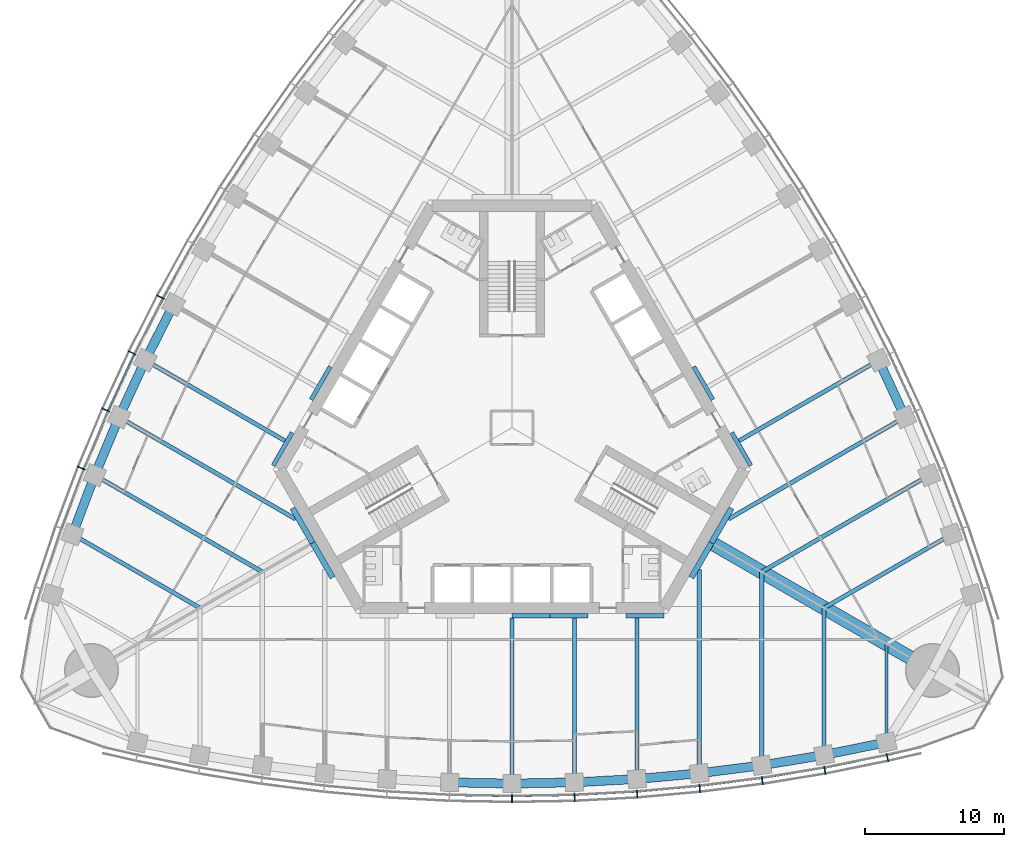
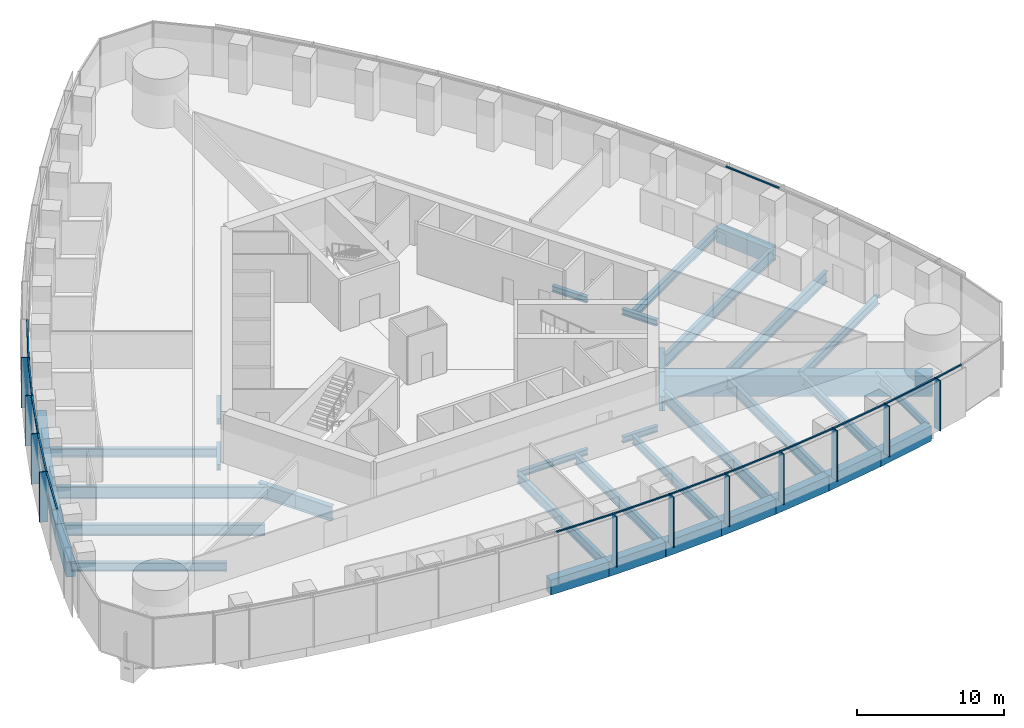
# One storey, part 3 of 19: 39 beams, 25 members, 3 elements without a shape of their own.
"""IFC4 building model written with IfcOpenShell, lengths in metres."""

from ifc_helpers import new_model, si_unit, direction, frame, origin, origin_2d, place, context, subcontext, project, spatial, rectangle, i_section, extrude, material, material_profile, profile_set, type_object, element, aggregate, save


model = new_model("IFC4")

# Units and contexts
model_context = context("Model", 3, precision=1e-05, world=origin(), true_north=direction((0.0, 1.0)))
body_context = subcontext(model_context, "Body", "Model", "MODEL_VIEW")
ifc_project = project(units=[si_unit("LENGTHUNIT", "METRE"), si_unit("AREAUNIT", "SQUARE_METRE"), si_unit("VOLUMEUNIT", "CUBIC_METRE"), si_unit("PLANEANGLEUNIT", "RADIAN"), si_unit("MASSUNIT", "GRAM", prefix="KILO")], contexts=[model_context])

# Site, building, storey
site_placement = place(None, origin())
site = spatial("IfcSite", under=ifc_project, at=site_placement, CompositionType="ELEMENT")
building_placement = place(site_placement, origin())
building = spatial("IfcBuilding", under=site, at=building_placement, Name="Trefoil Bronze Tower", CompositionType="ELEMENT")
storey_placement = place(building_placement, frame((0.0, 0.0, 128.300048828125)))
storey = spatial("IfcBuildingStorey", under=building, at=storey_placement, Name="L29", CompositionType="ELEMENT", Elevation=128.300048828125)

# Curtain wall, members
ifc_material_1 = material(Name="Tinted solar-control glass", Category="glass")
curtain_wall_type = type_object("IfcCurtainWallType", Name="Bronze office curtain wall", PredefinedType="USERDEFINED", material=ifc_material_1)
curtain_wall_1_placement = place(storey_placement, origin())
curtain_wall_1 = element("IfcCurtainWall", 1, at=curtain_wall_1_placement, inside=storey, type_object=curtain_wall_type, Name="CW-A L29 F1", ObjectType="CURTAIN WALL", PredefinedType="USERDEFINED")
ifc_material_2 = material(Name="Bronze-finish aluminium", Category="aluminium")
ifc_material_profile_1 = material_profile(ifc_material_2, rectangle(XDim=0.60009765625, YDim=0.080078125, at=origin_2d()), Name="CW-A mullion")
ifc_profile_set_1 = profile_set([ifc_material_profile_1], Name="Bronze-finish aluminium")
member_type_1 = type_object("IfcMemberType", Name="Bronze office curtain wall mullion", PredefinedType="MULLION", material=ifc_profile_set_1)
member_1_placement = place(storey_placement, frame((0.0, -26.749755859375, 0.0), z_axis=(0.0, 0.0, 1.0), x_axis=(0.0, 1.0, 0.0)))
member_1 = element("IfcMember", 2, at=member_1_placement, type_object=member_type_1, Name="CW-A L29 F1 mullion 8", PredefinedType="MULLION", context=body_context, shape_type="SweptSolid", body=[
    extrude(rectangle(XDim=0.60009765625, YDim=0.080078125, at=origin_2d()), origin(), (0.0, 0.0, 1.0), 4.179931640625),
])
member_2_placement = place(storey_placement, frame((4.5107421875, -26.66845703125, 0.0), z_axis=(0.0, 0.0, 1.0), x_axis=(-0.036047792107, 0.999350067136, 0.0)))
member_2 = element("IfcMember", 3, at=member_2_placement, type_object=member_type_1, Name="CW-A L29 F1 mullion 9", PredefinedType="MULLION", context=body_context, shape_type="SweptSolid", body=[
    extrude(rectangle(XDim=0.60009765625, YDim=0.080078125, at=origin_2d()), origin(), (0.0, 0.0, 1.0), 4.179931640625),
])
member_3_placement = place(storey_placement, frame((9.021728515625, -26.424072265625, 0.0), z_axis=(0.0, 0.0, 1.0), x_axis=(-0.072095676284, 0.997397720802, 0.0)))
member_3 = element("IfcMember", 4, at=member_3_placement, type_object=member_type_1, Name="CW-A L29 F1 mullion 10", PredefinedType="MULLION", context=body_context, shape_type="SweptSolid", body=[
    extrude(rectangle(XDim=0.60009765625, YDim=0.080078125, at=origin_2d()), origin(), (0.0, 0.0, 1.0), 4.179931640625),
])
member_4_placement = place(storey_placement, frame((13.532470703125, -26.01611328125, 0.0), z_axis=(0.0, 0.0, 1.0), x_axis=(-0.108143747013, 0.994135267447, 0.0)))
member_4 = element("IfcMember", 5, at=member_4_placement, type_object=member_type_1, Name="CW-A L29 F1 mullion 11", PredefinedType="MULLION", context=body_context, shape_type="SweptSolid", body=[
    extrude(rectangle(XDim=0.60009765625, YDim=0.080078125, at=origin_2d()), origin(), (0.0, 0.0, 1.0), 4.179931640625),
])
member_5_placement = place(storey_placement, frame((18.043212890625, -25.4423828125, 0.0), z_axis=(0.0, 0.0, 1.0), x_axis=(-0.144192103798, 0.989549714366, 0.0)))
member_5 = element("IfcMember", 6, at=member_5_placement, type_object=member_type_1, Name="CW-A L29 F1 mullion 12", PredefinedType="MULLION", context=body_context, shape_type="SweptSolid", body=[
    extrude(rectangle(XDim=0.60009765625, YDim=0.080078125, at=origin_2d()), origin(), (0.0, 0.0, 1.0), 4.179931640625),
])
member_6_placement = place(storey_placement, frame((22.553955078125, -24.700927734375, 0.0), z_axis=(0.0, 0.0, 1.0), x_axis=(-0.180240853954, 0.98362250613, 0.0)))
member_6 = element("IfcMember", 7, at=member_6_placement, type_object=member_type_1, Name="CW-A L29 F1 mullion 13", PredefinedType="MULLION", context=body_context, shape_type="SweptSolid", body=[
    extrude(rectangle(XDim=0.60009765625, YDim=0.080078125, at=origin_2d()), origin(), (0.0, 0.0, 1.0), 4.179931640625),
])
member_7_placement = place(storey_placement, frame((27.0634765625, -23.7890625, 0.0), z_axis=(0.0, 0.0, 1.0), x_axis=(-0.21197042503, 0.977276081214, 0.0)))
member_7 = element("IfcMember", 8, at=member_7_placement, type_object=member_type_1, Name="CW-A L29 F1 mullion 14", PredefinedType="MULLION", context=body_context, shape_type="SweptSolid", body=[
    extrude(rectangle(XDim=0.60009765625, YDim=0.080078125, at=origin_2d()), origin(), (0.0, 0.0, 1.0), 4.179931640625),
])

curtain_wall_2_placement = place(storey_placement, origin())
curtain_wall_2 = element("IfcCurtainWall", 9, at=curtain_wall_2_placement, inside=storey, type_object=curtain_wall_type, Name="CW-A L29 F3", ObjectType="CURTAIN WALL", PredefinedType="USERDEFINED")
member_8_placement = place(storey_placement, frame((-25.350830078125, 9.427734375, 0.0), z_axis=(0.0, 0.0, 1.0), x_axis=(0.883486441467, -0.468456729853, 0.0)))
member_8 = element("IfcMember", 10, at=member_8_placement, type_object=member_type_1, Name="CW-A L29 F3 mullion 9", PredefinedType="MULLION", context=body_context, shape_type="SweptSolid", body=[
    extrude(rectangle(XDim=0.60009765625, YDim=0.080078125, at=origin_2d()), origin(), (0.0, 0.0, 1.0), 4.179931640625),
])
member_9_placement = place(storey_placement, frame((-27.394775390625, 5.399169921875, 0.0), z_axis=(0.0, 0.0, 1.0), x_axis=(0.899819602033, -0.436262173236, 0.0)))
member_9 = element("IfcMember", 11, at=member_9_placement, type_object=member_type_1, Name="CW-A L29 F3 mullion 10", PredefinedType="MULLION", context=body_context, shape_type="SweptSolid", body=[
    extrude(rectangle(XDim=0.60009765625, YDim=0.080078125, at=origin_2d()), origin(), (0.0, 0.0, 1.0), 4.179931640625),
])
member_10_placement = place(storey_placement, frame((-29.296875, 1.28857421875, 0.0), z_axis=(0.0, 0.0, 1.0), x_axis=(0.915018269914, -0.40341240155, 0.0)))
member_10 = element("IfcMember", 12, at=member_10_placement, type_object=member_type_1, Name="CW-A L29 F3 mullion 11", PredefinedType="MULLION", context=body_context, shape_type="SweptSolid", body=[
    extrude(rectangle(XDim=0.60009765625, YDim=0.080078125, at=origin_2d()), origin(), (0.0, 0.0, 1.0), 4.179931640625),
])
member_11_placement = place(storey_placement, frame((-31.055419921875, -2.90478515625, 0.0), z_axis=(0.0, 0.0, 1.0), x_axis=(0.929071242848, -0.369900832269, 0.0)))
member_11 = element("IfcMember", 13, at=member_11_placement, type_object=member_type_1, Name="CW-A L29 F3 mullion 12", PredefinedType="MULLION", context=body_context, shape_type="SweptSolid", body=[
    extrude(rectangle(XDim=0.60009765625, YDim=0.080078125, at=origin_2d()), origin(), (0.0, 0.0, 1.0), 4.179931640625),
])

# Member
ifc_material_3 = material(Name="Bronze-finish aluminium", Category="aluminium")
ifc_material_profile_2 = material_profile(ifc_material_3, rectangle(XDim=0.1201171875, YDim=0.10009765625, at=origin_2d()), Name="CW-A transom")
ifc_profile_set_2 = profile_set([ifc_material_profile_2], Name="Bronze-finish aluminium")
member_type_2 = type_object("IfcMemberType", Name="Bronze office curtain wall transom", PredefinedType="USERDEFINED", material=ifc_profile_set_2)
member_12_placement = place(storey_placement, frame((-4.4619140625, -26.46923828125, 4.1298828125), z_axis=(0.999837930028, -0.018003157426, 0.0), x_axis=(0.018003157426, 0.999837930028, 0.0)))
member_12 = element("IfcMember", 14, at=member_12_placement, type_object=member_type_2, Name="CW-A L29 F1 transom 7", ObjectType="TRANSOM", PredefinedType="USERDEFINED", context=body_context, shape_type="SweptSolid", body=[
    extrude(rectangle(XDim=0.1201171875, YDim=0.10009765625, at=origin_2d()), origin(), (0.0, 0.0, 1.0), 4.4208984375),
])

member_13_placement = place(storey_placement, frame((0.041748046875, -26.548828125, 4.1298828125), z_axis=(0.999837930028, 0.018003157426, 0.0), x_axis=(-0.018003157426, 0.999837930028, 0.0)))
member_13 = element("IfcMember", 15, at=member_13_placement, type_object=member_type_2, Name="CW-A L29 F1 transom 8", ObjectType="TRANSOM", PredefinedType="USERDEFINED", context=body_context, shape_type="SweptSolid", body=[
    extrude(rectangle(XDim=0.1201171875, YDim=0.10009765625, at=origin_2d()), origin(), (0.0, 0.0, 1.0), 4.4208984375),
])

member_14_placement = place(storey_placement, frame((4.54541015625, -26.46630859375, 4.1298828125), z_axis=(0.998538253569, 0.054049571306, 0.0), x_axis=(-0.054049571306, 0.998538253569, 0.0)))
member_14 = element("IfcMember", 16, at=member_14_placement, type_object=member_type_2, Name="CW-A L29 F1 transom 9", ObjectType="TRANSOM", PredefinedType="USERDEFINED", context=body_context, shape_type="SweptSolid", body=[
    extrude(rectangle(XDim=0.1201171875, YDim=0.10009765625, at=origin_2d()), origin(), (0.0, 0.0, 1.0), 4.4267578125),
])

member_15_placement = place(storey_placement, frame((9.048828125, -26.220947265625, 4.1298828125), z_axis=(0.995932787062, 0.090099298863, 0.0), x_axis=(-0.090099298863, 0.995932787062, 0.0)))
member_15 = element("IfcMember", 17, at=member_15_placement, type_object=member_type_2, Name="CW-A L29 F1 transom 10", ObjectType="TRANSOM", PredefinedType="USERDEFINED", context=body_context, shape_type="SweptSolid", body=[
    extrude(rectangle(XDim=0.1201171875, YDim=0.10009765625, at=origin_2d()), origin(), (0.0, 0.0, 1.0), 4.4384765625),
])

member_16_placement = place(storey_placement, frame((13.55224609375, -25.81201171875, 4.1298828125), z_axis=(0.992008387848, 0.12617193998, 0.0), x_axis=(-0.12617193998, 0.992008387848, 0.0)))
member_16 = element("IfcMember", 18, at=member_16_placement, type_object=member_type_2, Name="CW-A L29 F1 transom 11", ObjectType="TRANSOM", PredefinedType="USERDEFINED", context=body_context, shape_type="SweptSolid", body=[
    extrude(rectangle(XDim=0.1201171875, YDim=0.10009765625, at=origin_2d()), origin(), (0.0, 0.0, 1.0), 4.456298828125),
])

member_17_placement = place(storey_placement, frame((18.0556640625, -25.23779296875, 4.1298828125), z_axis=(0.986755265284, 0.162216048636, 0.0), x_axis=(-0.162216048636, 0.986755265284, 0.0)))
member_17 = element("IfcMember", 19, at=member_17_placement, type_object=member_type_2, Name="CW-A L29 F1 transom 12", ObjectType="TRANSOM", PredefinedType="USERDEFINED", context=body_context, shape_type="SweptSolid", body=[
    extrude(rectangle(XDim=0.1201171875, YDim=0.10009765625, at=origin_2d()), origin(), (0.0, 0.0, 1.0), 4.48046875),
])

member_18_placement = place(storey_placement, frame((22.55908203125, -24.49609375, 4.1298828125), z_axis=(0.980153749225, 0.198238815273, 0.0), x_axis=(-0.198238815273, 0.980153749225, 0.0)))
member_18 = element("IfcMember", 20, at=member_18_placement, type_object=member_type_2, Name="CW-A L29 F1 transom 13", ObjectType="TRANSOM", PredefinedType="USERDEFINED", context=body_context, shape_type="SweptSolid", body=[
    extrude(rectangle(XDim=0.1201171875, YDim=0.10009765625, at=origin_2d()), origin(), (0.0, 0.0, 1.0), 4.51123046875),
])

member_19_placement = place(storey_placement, frame((27.0615234375, -23.584228515625, 4.1298828125), z_axis=(0.974206243495, 0.225659467196, 0.0), x_axis=(-0.225659467196, 0.974206243495, 0.0)))
member_19 = element("IfcMember", 21, at=member_19_placement, type_object=member_type_2, Name="CW-A L29 F1 transom 14", ObjectType="TRANSOM", PredefinedType="USERDEFINED", context=body_context, shape_type="SweptSolid", body=[
    extrude(rectangle(XDim=0.1201171875, YDim=0.10009765625, at=origin_2d()), origin(), (0.0, 0.0, 1.0), 2.340087890625),
])

aggregate(curtain_wall_1, [member_1, member_2, member_3, member_4, member_5, member_6, member_7, member_12, member_13, member_14, member_15, member_16, member_17, member_18, member_19])

# Curtain wall, member
curtain_wall_3_placement = place(storey_placement, origin())
curtain_wall_3 = element("IfcCurtainWall", 22, at=curtain_wall_3_placement, inside=storey, type_object=curtain_wall_type, Name="CW-A L29 F2", ObjectType="CURTAIN WALL", PredefinedType="USERDEFINED")
member_20_placement = place(storey_placement, frame((29.09619140625, 1.245849609375, 4.1298828125), z_axis=(-0.419923072198, 0.907559702409, 0.0), x_axis=(-0.907559702409, -0.419923072198, 0.0)))
member_20 = element("IfcMember", 23, at=member_20_placement, type_object=member_type_2, Name="CW-A L29 F2 transom 5", ObjectType="TRANSOM", PredefinedType="USERDEFINED", context=body_context, shape_type="SweptSolid", body=[
    extrude(rectangle(XDim=0.1201171875, YDim=0.10009765625, at=origin_2d()), origin(), (0.0, 0.0, 1.0), 4.4384765625),
])
aggregate(curtain_wall_3, [member_20])

# Member
member_21_placement = place(storey_placement, frame((-23.012939453125, 13.23828125, 4.1298828125), z_axis=(-0.484329470343, -0.874885686337, 0.0), x_axis=(0.874885686337, -0.484329470343, 0.0)))
member_21 = element("IfcMember", 24, at=member_21_placement, type_object=member_type_2, Name="CW-A L29 F3 transom 8", ObjectType="TRANSOM", PredefinedType="USERDEFINED", context=body_context, shape_type="SweptSolid", body=[
    extrude(rectangle(XDim=0.1201171875, YDim=0.10009765625, at=origin_2d()), origin(), (0.0, 0.0, 1.0), 4.4208984375),
])

member_22_placement = place(storey_placement, frame((-25.193115234375, 9.296630859375, 4.1298828125), z_axis=(-0.452478489814, -0.891775317138, 0.0), x_axis=(0.891775317138, -0.452478489814, 0.0)))
member_22 = element("IfcMember", 25, at=member_22_placement, type_object=member_type_2, Name="CW-A L29 F3 transom 9", ObjectType="TRANSOM", PredefinedType="USERDEFINED", context=body_context, shape_type="SweptSolid", body=[
    extrude(rectangle(XDim=0.1201171875, YDim=0.10009765625, at=origin_2d()), origin(), (0.0, 0.0, 1.0), 4.426513671875),
])

member_23_placement = place(storey_placement, frame((-27.232421875, 5.27392578125, 4.1298828125), z_axis=(-0.419923072198, -0.907559702409, 0.0), x_axis=(0.907559702409, -0.419923072198, 0.0)))
member_23 = element("IfcMember", 26, at=member_23_placement, type_object=member_type_2, Name="CW-A L29 F3 transom 10", ObjectType="TRANSOM", PredefinedType="USERDEFINED", context=body_context, shape_type="SweptSolid", body=[
    extrude(rectangle(XDim=0.1201171875, YDim=0.10009765625, at=origin_2d()), origin(), (0.0, 0.0, 1.0), 4.4384765625),
])

member_24_placement = place(storey_placement, frame((-29.1298828125, 1.16943359375, 4.1298828125), z_axis=(-0.386773266184, -0.922174842731, 0.0), x_axis=(0.922174842731, -0.386773266184, 0.0)))
member_24 = element("IfcMember", 27, at=member_24_placement, type_object=member_type_2, Name="CW-A L29 F3 transom 11", ObjectType="TRANSOM", PredefinedType="USERDEFINED", context=body_context, shape_type="SweptSolid", body=[
    extrude(rectangle(XDim=0.1201171875, YDim=0.10009765625, at=origin_2d()), origin(), (0.0, 0.0, 1.0), 4.45654296875),
])

member_25_placement = place(storey_placement, frame((-30.88427734375, -3.017822265625, 4.1298828125), z_axis=(-0.352932154759, -0.935648916067, 0.0), x_axis=(0.935648916067, -0.352932154759, 0.0)))
member_25 = element("IfcMember", 28, at=member_25_placement, type_object=member_type_2, Name="CW-A L29 F3 transom 12", ObjectType="TRANSOM", PredefinedType="USERDEFINED", context=body_context, shape_type="SweptSolid", body=[
    extrude(rectangle(XDim=0.1201171875, YDim=0.10009765625, at=origin_2d()), origin(), (0.0, 0.0, 1.0), 4.48046875),
])

aggregate(curtain_wall_2, [member_8, member_9, member_10, member_11, member_21, member_22, member_23, member_24, member_25])

# Beams
ifc_material_4 = material(Name="Steel C355", Category="steel")
ifc_material_profile_3 = material_profile(ifc_material_4, i_section(OverallWidth=0.300048828125, OverallDepth=0.5, WebThickness=0.014404296875, FlangeThickness=0.028076171875, FilletRadius=0.027099609375, at=origin_2d()), Name="HEB 500")
ifc_profile_set_3 = profile_set([ifc_material_profile_3], Name="Steel C355")
beam_type_1 = type_object("IfcBeamType", Name="Core seat beam HEB 500", PredefinedType="BEAM", material=ifc_profile_set_3)
for number, where, z_axis, x_axis, name in (
    (29, (0.0, -13.550048828125, -0.449951171875), (1.0, 0.0, 0.0), (0.0, 1.0, 0.0), "Core seat beam F1/+0 L29"),
    (30, (2.742431640625, -13.550048828125, -0.449951171875), (1.0, 0.0, 0.0), (0.0, 1.0, 0.0), "Core seat beam F1/+1 L29"),
    (31, (8.227294921875, -13.550048828125, -0.449951171875), (1.0, 0.0, 0.0), (0.0, 1.0, 0.0), "Core seat beam F1/+2 L29"),
    (32, (17.219482421875, -2.72509765625, -0.449951171875), (-0.500035825175, 0.866004719122, 0.0), (-0.866004719122, -0.500035825175, 0.0), "Core seat beam F2/-2 L29"),
    (33, (14.47705078125, 2.02490234375, -0.449951171875), (-0.499969057507, 0.866043267704, 0.0), (-0.866043267704, -0.499969057507, 0.0), "Core seat beam F2/-1 L29"),
    (34, (-13.10595703125, 4.39990234375, -0.449951171875), (-0.499969057507, -0.866043267704, 0.0), (0.866043267704, -0.499969057507, 0.0), "Core seat beam F3/+1 L29"),
    (35, (-15.84814453125, -0.35009765625, -0.449951171875), (-0.500035825175, -0.866004719122, 0.0), (0.866004719122, -0.500035825175, 0.0), "Core seat beam F3/+2 L29"),
):
    element("IfcBeam", number, at=place(storey_placement, frame(where, z_axis=z_axis, x_axis=x_axis)), inside=storey, type_object=beam_type_1, Name=name, PredefinedType="BEAM", context=body_context, shape_type="SweptSolid", body=[
        extrude(i_section(OverallWidth=0.300048828125, OverallDepth=0.5, WebThickness=0.014404296875, FlangeThickness=0.028076171875, FilletRadius=0.027099609375, at=origin_2d()), origin(), (0.0, 0.0, 1.0), 2.742431640625),
    ])
ifc_material_5 = material(Name="Steel C355", Category="steel")
ifc_material_profile_4 = material_profile(ifc_material_5, i_section(OverallWidth=0.39990234375, OverallDepth=1.199951171875, WebThickness=0.02001953125, FlangeThickness=0.0400390625, FilletRadius=0.010009765625, at=origin_2d()), Name="WPG 1200")
ifc_profile_set_4 = profile_set([ifc_material_profile_4], Name="Steel C355")
beam_type_2 = type_object("IfcBeamType", Name="Core seat beam WPG 1200", PredefinedType="BEAM", material=ifc_profile_set_4)
for number, where, z_axis, x_axis, name in (
    (36, (-14.3759765625, -8.300048828125, -0.800048828125), (0.499995765644, -0.866027848477, 0.0), (0.866027848477, 0.499995765644, 0.0), "Core seat beam F1/-3 L29"),
    (37, (12.9326171875, -10.800048828125, -0.800048828125), (0.499995765644, 0.866027848477, 0.0), (-0.866027848477, 0.499995765644, 0.0), "Core seat beam F1/+3 L29"),
    (38, (14.3759765625, -8.300048828125, -0.800048828125), (0.499995765644, 0.866027848477, 0.0), (-0.866027848477, 0.499995765644, 0.0), "Core seat beam F2/-3 L29"),
    (39, (-15.8193359375, -5.800048828125, -0.800048828125), (0.499995765644, -0.866027848477, 0.0), (0.866027848477, 0.499995765644, 0.0), "Core seat beam F3/+3 L29"),
):
    element("IfcBeam", number, at=place(storey_placement, frame(where, z_axis=z_axis, x_axis=x_axis)), inside=storey, type_object=beam_type_2, Name=name, PredefinedType="BEAM", context=body_context, shape_type="SweptSolid", body=[
        extrude(i_section(OverallWidth=0.39990234375, OverallDepth=1.199951171875, WebThickness=0.02001953125, FlangeThickness=0.0400390625, FilletRadius=0.010009765625, at=origin_2d()), origin(), (0.0, 0.0, 1.0), 2.88671875),
    ])
ifc_material_6 = material(Name="Concrete B80", Category="concrete")
ifc_material_profile_5 = material_profile(ifc_material_6, rectangle(XDim=1.0, YDim=1.699951171875, at=origin_2d()), Name="RC 1000x1700")
ifc_profile_set_5 = profile_set([ifc_material_profile_5], Name="Concrete B80")
beam_type_3 = type_object("IfcBeamType", Name="Corner girder RC 1000x1700", PredefinedType="BEAM", material=ifc_profile_set_5)
beam_1_placement = place(storey_placement, frame((14.202880859375, -8.199951171875, -1.050048828125), z_axis=(0.866022084834, -0.500005748546, 0.0), x_axis=(0.500005748546, 0.866022084834, 0.0)))
element("IfcBeam", 40, at=beam_1_placement, inside=storey, type_object=beam_type_3, Name="Corner girder K1 L29", PredefinedType="BEAM", context=body_context, shape_type="SweptSolid", body=[
    extrude(rectangle(XDim=1.0, YDim=1.699951171875, at=origin_2d()), origin(), (0.0, 0.0, 1.0), 18.599853515625),
])
ifc_material_7 = material(Name="Steel C355", Category="steel")
ifc_material_profile_6 = material_profile(ifc_material_7, i_section(OverallWidth=0.300048828125, OverallDepth=1.0, WebThickness=0.01904296875, FlangeThickness=0.035888671875, FilletRadius=0.030029296875, at=origin_2d()), Name="HEB 1000")
ifc_profile_set_6 = profile_set([ifc_material_profile_6], Name="Steel C355")
beam_type_4 = type_object("IfcBeamType", Name="Floor beam HEB 1000", PredefinedType="BEAM", material=ifc_profile_set_6)
for number, where, z_axis, x_axis, name in (
    (41, (13.5, -24.9130859375, -0.699951171875), (0.0, 1.0, 0.0), (-1.0, 0.0, 0.0), "Floor beam F1/+3 L29"),
    (42, (28.325439453125, 0.76513671875, -0.699951171875), (-0.866027342682, -0.499996641717, 0.0), (0.499996641717, -0.866027342682, 0.0), "Floor beam F2/-3 L29"),
    (43, (-28.325439453125, 0.76513671875, -0.699951171875), (0.866027342682, -0.499996641717, 0.0), (0.499996641717, 0.866027342682, 0.0), "Floor beam F3/+3 L29"),
):
    element("IfcBeam", number, at=place(storey_placement, frame(where, z_axis=z_axis, x_axis=x_axis)), inside=storey, type_object=beam_type_4, Name=name, PredefinedType="BEAM", context=body_context, shape_type="SweptSolid", body=[
        extrude(i_section(OverallWidth=0.300048828125, OverallDepth=1.0, WebThickness=0.01904296875, FlangeThickness=0.035888671875, FilletRadius=0.030029296875, at=origin_2d()), origin(), (0.0, 0.0, 1.0), 14.69580078125),
    ])
ifc_material_8 = material(Name="Steel C355", Category="steel")
ifc_material_profile_7 = material_profile(ifc_material_8, i_section(OverallWidth=0.300048828125, OverallDepth=0.699951171875, WebThickness=0.01708984375, FlangeThickness=0.031982421875, FilletRadius=0.027099609375, at=origin_2d()), Name="HEB 700")
ifc_profile_set_7 = profile_set([ifc_material_profile_7], Name="Steel C355")
beam_type_5 = type_object("IfcBeamType", Name="Floor beam HEB 700", PredefinedType="BEAM", material=ifc_profile_set_7)
beam_2_placement = place(storey_placement, frame((9.0, -25.32275390625, -0.550048828125), z_axis=(0.0, 1.0, 0.0), x_axis=(-1.0, 0.0, 0.0)))
element("IfcBeam", 44, at=beam_2_placement, inside=storey, type_object=beam_type_5, Name="Floor beam F1/+2 L29", PredefinedType="BEAM", context=body_context, shape_type="SweptSolid", body=[
    extrude(i_section(OverallWidth=0.300048828125, OverallDepth=0.699951171875, WebThickness=0.01708984375, FlangeThickness=0.031982421875, FilletRadius=0.027099609375, at=origin_2d()), origin(), (0.0, 0.0, 1.0), 11.622802734375),
])
beam_3_placement = place(storey_placement, frame((22.5, -23.592529296875, -0.550048828125), z_axis=(0.0, 1.0, 0.0), x_axis=(-1.0, 0.0, 0.0)))
element("IfcBeam", 45, at=beam_3_placement, inside=storey, type_object=beam_type_5, Name="Floor beam F1/+5 L29", PredefinedType="BEAM", context=body_context, shape_type="SweptSolid", body=[
    extrude(i_section(OverallWidth=0.300048828125, OverallDepth=0.699951171875, WebThickness=0.01708984375, FlangeThickness=0.031982421875, FilletRadius=0.027099609375, at=origin_2d()), origin(), (0.0, 0.0, 1.0), 10.60205078125),
])
beam_4_placement = place(storey_placement, frame((31.681884765625, -7.689208984375, -0.550048828125), z_axis=(-0.866021079084, -0.500007490527, 0.0), x_axis=(0.500007490527, -0.866021079084, 0.0)))
element("IfcBeam", 46, at=beam_4_placement, inside=storey, type_object=beam_type_5, Name="Floor beam F2/-5 L29", PredefinedType="BEAM", context=body_context, shape_type="SweptSolid", body=[
    extrude(i_section(OverallWidth=0.300048828125, OverallDepth=0.699951171875, WebThickness=0.01708984375, FlangeThickness=0.031982421875, FilletRadius=0.027099609375, at=origin_2d()), origin(), (0.0, 0.0, 1.0), 10.602294921875),
])
for number, where, z_axis, x_axis, name in (
    (47, (26.43017578125, 4.8671875, -0.550048828125), (-0.866021531335, -0.500006707218, 0.0), (0.500006707218, -0.866021531335, 0.0), "Floor beam F2/-2 L29"),
    (48, (-26.43017578125, 4.8671875, -0.550048828125), (0.866021531335, -0.500006707218, 0.0), (0.500006707218, 0.866021531335, 0.0), "Floor beam F3/+2 L29"),
):
    element("IfcBeam", number, at=place(storey_placement, frame(where, z_axis=z_axis, x_axis=x_axis)), inside=storey, type_object=beam_type_5, Name=name, PredefinedType="BEAM", context=body_context, shape_type="SweptSolid", body=[
        extrude(i_section(OverallWidth=0.300048828125, OverallDepth=0.699951171875, WebThickness=0.01708984375, FlangeThickness=0.031982421875, FilletRadius=0.027099609375, at=origin_2d()), origin(), (0.0, 0.0, 1.0), 11.622802734375),
    ])
beam_5_placement = place(storey_placement, frame((-31.681884765625, -7.689208984375, -0.550048828125), z_axis=(0.866021079084, -0.500007490527, 0.0), x_axis=(0.500007490527, 0.866021079084, 0.0)))
element("IfcBeam", 49, at=beam_5_placement, inside=storey, type_object=beam_type_5, Name="Floor beam F3/+5 L29", PredefinedType="BEAM", context=body_context, shape_type="SweptSolid", body=[
    extrude(i_section(OverallWidth=0.300048828125, OverallDepth=0.699951171875, WebThickness=0.01708984375, FlangeThickness=0.031982421875, FilletRadius=0.027099609375, at=origin_2d()), origin(), (0.0, 0.0, 1.0), 10.602294921875),
])
ifc_material_9 = material(Name="Steel C355", Category="steel")
ifc_material_profile_8 = material_profile(ifc_material_9, i_section(OverallWidth=0.300048828125, OverallDepth=0.800048828125, WebThickness=0.017578125, FlangeThickness=0.032958984375, FilletRadius=0.030029296875, at=origin_2d()), Name="HEB 800")
ifc_profile_set_8 = profile_set([ifc_material_profile_8], Name="Steel C355")
beam_type_6 = type_object("IfcBeamType", Name="Floor beam HEB 800", PredefinedType="BEAM", material=ifc_profile_set_8)
beam_6_placement = place(storey_placement, frame((0.0, -25.649658203125, -0.60009765625), z_axis=(0.0, 1.0, 0.0), x_axis=(-1.0, 0.0, 0.0)))
element("IfcBeam", 50, at=beam_6_placement, inside=storey, type_object=beam_type_6, Name="Floor beam F1/+0 L29", PredefinedType="BEAM", context=body_context, shape_type="SweptSolid", body=[
    extrude(i_section(OverallWidth=0.300048828125, OverallDepth=0.800048828125, WebThickness=0.017578125, FlangeThickness=0.032958984375, FilletRadius=0.030029296875, at=origin_2d()), origin(), (0.0, 0.0, 1.0), 11.94970703125),
])
beam_7_placement = place(storey_placement, frame((4.5, -25.568115234375, -0.60009765625), z_axis=(0.0, 1.0, 0.0), x_axis=(-1.0, 0.0, 0.0)))
element("IfcBeam", 51, at=beam_7_placement, inside=storey, type_object=beam_type_6, Name="Floor beam F1/+1 L29", PredefinedType="BEAM", context=body_context, shape_type="SweptSolid", body=[
    extrude(i_section(OverallWidth=0.300048828125, OverallDepth=0.800048828125, WebThickness=0.017578125, FlangeThickness=0.032958984375, FilletRadius=0.030029296875, at=origin_2d()), origin(), (0.0, 0.0, 1.0), 11.8681640625),
])
ifc_material_10 = material(Name="Steel C355", Category="steel")
ifc_material_profile_9 = material_profile(ifc_material_10, i_section(OverallWidth=0.300048828125, OverallDepth=0.89990234375, WebThickness=0.0185546875, FlangeThickness=0.034912109375, FilletRadius=0.030029296875, at=origin_2d()), Name="HEB 900")
ifc_profile_set_9 = profile_set([ifc_material_profile_9], Name="Steel C355")
beam_type_7 = type_object("IfcBeamType", Name="Floor beam HEB 900", PredefinedType="BEAM", material=ifc_profile_set_9)
for number, where, z_axis, x_axis, name in (
    (52, (18.0, -24.337158203125, -0.650146484375), (0.0, 1.0, 0.0), (-1.0, 0.0, 0.0), "Floor beam F1/+4 L29"),
    (53, (30.07666015625, -3.419921875, -0.650146484375), (-0.866026983775, -0.499997263366, 0.0), (0.499997263366, -0.866026983775, 0.0), "Floor beam F2/-4 L29"),
    (54, (-30.07666015625, -3.419921875, -0.650146484375), (0.866026983775, -0.499997263366, 0.0), (0.499997263366, 0.866026983775, 0.0), "Floor beam F3/+4 L29"),
):
    element("IfcBeam", number, at=place(storey_placement, frame(where, z_axis=z_axis, x_axis=x_axis)), inside=storey, type_object=beam_type_7, Name=name, PredefinedType="BEAM", context=body_context, shape_type="SweptSolid", body=[
        extrude(i_section(OverallWidth=0.300048828125, OverallDepth=0.89990234375, WebThickness=0.0185546875, FlangeThickness=0.034912109375, FilletRadius=0.030029296875, at=origin_2d()), origin(), (0.0, 0.0, 1.0), 13.94482421875),
    ])
ifc_material_11 = material(Name="Steel C355", Category="steel")
ifc_material_profile_10 = material_profile(ifc_material_11, i_section(OverallWidth=0.219970703125, OverallDepth=0.60009765625, WebThickness=0.011962890625, FlangeThickness=0.01904296875, FilletRadius=0.02392578125, at=origin_2d()), Name="IPE 600")
ifc_profile_set_10 = profile_set([ifc_material_profile_10], Name="Steel C355")
beam_type_8 = type_object("IfcBeamType", Name="Floor beam IPE 600", PredefinedType="BEAM", material=ifc_profile_set_10)
beam_8_placement = place(storey_placement, frame((27.0, -22.67724609375, -0.5), z_axis=(0.0, 1.0, 0.0), x_axis=(-1.0, 0.0, 0.0)))
element("IfcBeam", 55, at=beam_8_placement, inside=storey, type_object=beam_type_8, Name="Floor beam F1/+6 L29", PredefinedType="BEAM", context=body_context, shape_type="SweptSolid", body=[
    extrude(i_section(OverallWidth=0.219970703125, OverallDepth=0.60009765625, WebThickness=0.011962890625, FlangeThickness=0.01904296875, FilletRadius=0.02392578125, at=origin_2d()), origin(), (0.0, 0.0, 1.0), 7.0888671875),
])
ifc_material_12 = material(Name="Concrete B80", Category="concrete")
ifc_material_profile_11 = material_profile(ifc_material_12, rectangle(XDim=0.64990234375, YDim=1.25, at=origin_2d()), Name="RC 650x1250")
ifc_profile_set_11 = profile_set([ifc_material_profile_11], Name="Concrete B80")
beam_type_9 = type_object("IfcBeamType", Name="Spandrel beam RC 650x1250", PredefinedType="SPANDREL", material=ifc_profile_set_11)
for number, where, z_axis, x_axis, name in (
    (56, (-4.5, -25.568115234375, -0.824951171875), (0.999835861267, -0.01811768542, 0.0), (0.01811768542, 0.999835861267, 0.0), "Spandrel F1.7 L29"),
    (57, (0.0, -25.649658203125, -0.824951171875), (0.999835861267, 0.01811768542, 0.0), (-0.01811768542, 0.999835861267, 0.0), "Spandrel F1.8 L29"),
):
    element("IfcBeam", number, at=place(storey_placement, frame(where, z_axis=z_axis, x_axis=x_axis)), inside=storey, type_object=beam_type_9, Name=name, PredefinedType="SPANDREL", context=body_context, shape_type="SweptSolid", body=[
        extrude(rectangle(XDim=0.64990234375, YDim=1.25, at=origin_2d()), origin(), (0.0, 0.0, 1.0), 4.500732421875),
    ])
beam_9_placement = place(storey_placement, frame((4.5, -25.568115234375, -0.824951171875), z_axis=(0.998516832602, 0.054443870267, 0.0), x_axis=(-0.054443870267, 0.998516832602, 0.0)))
element("IfcBeam", 58, at=beam_9_placement, inside=storey, type_object=beam_type_9, Name="Spandrel F1.9 L29", PredefinedType="SPANDREL", context=body_context, shape_type="SweptSolid", body=[
    extrude(rectangle(XDim=0.64990234375, YDim=1.25, at=origin_2d()), origin(), (0.0, 0.0, 1.0), 4.506591796875),
])
beam_10_placement = place(storey_placement, frame((9.0, -25.32275390625, -0.824951171875), z_axis=(0.995881683815, 0.090662405894, 0.0), x_axis=(-0.090662405894, 0.995881683815, 0.0)))
element("IfcBeam", 59, at=beam_10_placement, inside=storey, type_object=beam_type_9, Name="Spandrel F1.10 L29", PredefinedType="SPANDREL", context=body_context, shape_type="SweptSolid", body=[
    extrude(rectangle(XDim=0.64990234375, YDim=1.25, at=origin_2d()), origin(), (0.0, 0.0, 1.0), 4.5185546875),
])
beam_11_placement = place(storey_placement, frame((13.5, -24.9130859375, -0.824951171875), z_axis=(0.991909314257, 0.126948463126, 0.0), x_axis=(-0.126948463126, 0.991909314257, 0.0)))
element("IfcBeam", 60, at=beam_11_placement, inside=storey, type_object=beam_type_9, Name="Spandrel F1.11 L29", PredefinedType="SPANDREL", context=body_context, shape_type="SweptSolid", body=[
    extrude(rectangle(XDim=0.64990234375, YDim=1.25, at=origin_2d()), origin(), (0.0, 0.0, 1.0), 4.53662109375),
])
beam_12_placement = place(storey_placement, frame((18.0, -24.337158203125, -0.824951171875), z_axis=(0.986584214684, 0.163253138823, 0.0), x_axis=(-0.163253138823, 0.986584214684, 0.0)))
element("IfcBeam", 61, at=beam_12_placement, inside=storey, type_object=beam_type_9, Name="Spandrel F1.12 L29", PredefinedType="SPANDREL", context=body_context, shape_type="SweptSolid", body=[
    extrude(rectangle(XDim=0.64990234375, YDim=1.25, at=origin_2d()), origin(), (0.0, 0.0, 1.0), 4.561279296875),
])
beam_13_placement = place(storey_placement, frame((22.5, -23.592529296875, -0.824951171875), z_axis=(0.979935430296, 0.199315208777, 0.0), x_axis=(-0.199315208777, 0.979935430296, 0.0)))
element("IfcBeam", 62, at=beam_13_placement, inside=storey, type_object=beam_type_9, Name="Spandrel F1.13 L29", PredefinedType="SPANDREL", context=body_context, shape_type="SweptSolid", body=[
    extrude(rectangle(XDim=0.64990234375, YDim=1.25, at=origin_2d()), origin(), (0.0, 0.0, 1.0), 4.592041015625),
])
beam_14_placement = place(storey_placement, frame((28.325439453125, 0.76513671875, -0.824951171875), z_axis=(-0.419424747755, 0.907790108434, 0.0), x_axis=(-0.907790108434, -0.419424747755, 0.0)))
element("IfcBeam", 63, at=beam_14_placement, inside=storey, type_object=beam_type_9, Name="Spandrel F2.5 L29", PredefinedType="SPANDREL", context=body_context, shape_type="SweptSolid", body=[
    extrude(rectangle(XDim=0.64990234375, YDim=1.25, at=origin_2d()), origin(), (0.0, 0.0, 1.0), 4.518798828125),
])
beam_15_placement = place(storey_placement, frame((-24.392578125, 8.886962890625, -0.824951171875), z_axis=(-0.452125717735, -0.891954222683, 0.0), x_axis=(0.891954222683, -0.452125717735, 0.0)))
element("IfcBeam", 64, at=beam_15_placement, inside=storey, type_object=beam_type_9, Name="Spandrel F3.9 L29", PredefinedType="SPANDREL", context=body_context, shape_type="SweptSolid", body=[
    extrude(rectangle(XDim=0.64990234375, YDim=1.25, at=origin_2d()), origin(), (0.0, 0.0, 1.0), 4.506591796875),
])
beam_16_placement = place(storey_placement, frame((-26.43017578125, 4.8671875, -0.824951171875), z_axis=(-0.419424747755, -0.907790108434, 0.0), x_axis=(0.907790108434, -0.419424747755, 0.0)))
element("IfcBeam", 65, at=beam_16_placement, inside=storey, type_object=beam_type_9, Name="Spandrel F3.10 L29", PredefinedType="SPANDREL", context=body_context, shape_type="SweptSolid", body=[
    extrude(rectangle(XDim=0.64990234375, YDim=1.25, at=origin_2d()), origin(), (0.0, 0.0, 1.0), 4.518798828125),
])
beam_17_placement = place(storey_placement, frame((-28.325439453125, 0.76513671875, -0.824951171875), z_axis=(-0.386013490858, -0.922493135408, 0.0), x_axis=(0.922493135408, -0.386013490858, 0.0)))
element("IfcBeam", 66, at=beam_17_placement, inside=storey, type_object=beam_type_9, Name="Spandrel F3.11 L29", PredefinedType="SPANDREL", context=body_context, shape_type="SweptSolid", body=[
    extrude(rectangle(XDim=0.64990234375, YDim=1.25, at=origin_2d()), origin(), (0.0, 0.0, 1.0), 4.53662109375),
])
beam_18_placement = place(storey_placement, frame((-30.07666015625, -3.419921875, -0.824951171875), z_axis=(-0.351938675523, -0.936023059904, 0.0), x_axis=(0.936023059904, -0.351938675523, 0.0)))
element("IfcBeam", 67, at=beam_18_placement, inside=storey, type_object=beam_type_9, Name="Spandrel F3.12 L29", PredefinedType="SPANDREL", context=body_context, shape_type="SweptSolid", body=[
    extrude(rectangle(XDim=0.64990234375, YDim=1.25, at=origin_2d()), origin(), (0.0, 0.0, 1.0), 4.56103515625),
])

save(model, "model.ifc")
